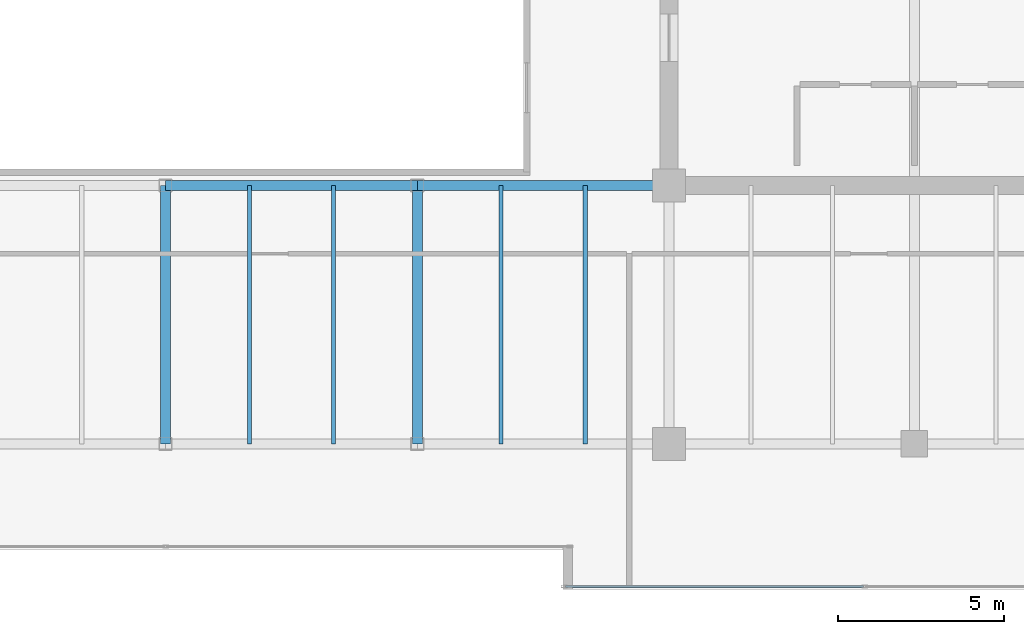
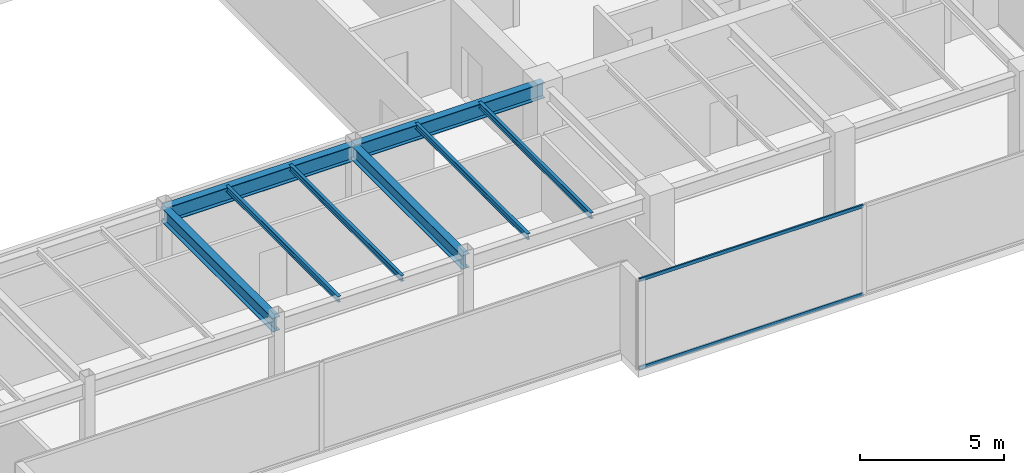
# One storey, part 12 of 33: 8 beams, 2 members, 1 element without a shape of its own.
"""IFC4 building model written with IfcOpenShell, lengths in metres."""

from ifc_helpers import new_model, si_unit, direction, frame, origin, origin_2d, place, context, subcontext, project, spatial, hollow_rectangle, i_section, extrude, source, transform, mapped, material, layer, layer_set, material_profile, profile_set, type_object, type_shapes, element, aggregate, save


model = new_model("IFC4")

# Units and contexts
model_context = context("Model", 3, precision=1e-05, world=origin(), true_north=direction((0.0, 1.0)))
body_context = subcontext(model_context, "Body", "Model", "MODEL_VIEW")
ifc_project = project(units=[si_unit("LENGTHUNIT", "METRE"), si_unit("AREAUNIT", "SQUARE_METRE"), si_unit("VOLUMEUNIT", "CUBIC_METRE"), si_unit("PLANEANGLEUNIT", "RADIAN"), si_unit("MASSUNIT", "GRAM", prefix="KILO")], contexts=[model_context])

# Site, building, storey
site_placement = place(None, origin())
site = spatial("IfcSite", under=ifc_project, at=site_placement, CompositionType="ELEMENT")
building_placement = place(site_placement, origin())
building = spatial("IfcBuilding", under=site, at=building_placement, Name="Haelvirn Gate Laboratories", CompositionType="ELEMENT")
storey_placement = place(building_placement, frame((0.0, 0.0, 275.199951171875)))
storey = spatial("IfcBuildingStorey", under=building, at=storey_placement, Name="L66", CompositionType="ELEMENT", Elevation=275.199951171875)

# Beams
ifc_material_1 = material(Name="Steel SM355", Category="steel")
ifc_material_profile_1 = material_profile(ifc_material_1, i_section(OverallWidth=0.300048828125, OverallDepth=0.587890625, WebThickness=0.011962890625, FlangeThickness=0.02001953125, at=origin_2d()), Name="H-588x300x12x20")
ifc_profile_set_1 = profile_set([ifc_material_profile_1], Name="Steel SM355")
beam_type_1 = type_object("IfcBeamType", Name="BM-G-588", PredefinedType="BEAM", material=ifc_profile_set_1)
shared_shape_1 = source(origin(), body_context, "Body", "SweptSolid", [
    extrude(i_section(OverallWidth=0.300048828125, OverallDepth=0.587890625, WebThickness=0.011962890625, FlangeThickness=0.02001953125, at=origin_2d()), origin(), (0.0, 0.0, 1.0), 7.800048828125),
])
type_shapes(beam_type_1, [shared_shape_1])
for number, where, z_axis, x_axis, name in (
    (1, (37.39990234375, 7.0, 3.506103515625), (0.0, 1.0, 0.0), (-1.0, 0.0, 0.0), "L66 Frame Girder X37.4 (7.0-14.8)"),
    (2, (45.0, 7.0, 3.506103515625), (0.0, 1.0, 0.0), (-1.0, 0.0, 0.0), "L66 Frame Girder X45.0 (7.0-14.8)"),
):
    element("IfcBeam", number, at=place(storey_placement, frame(where, z_axis=z_axis, x_axis=x_axis)), inside=storey, type_object=beam_type_1, Name=name, PredefinedType="BEAM", context=body_context, shape_type="MappedRepresentation", body=[
        mapped(shared_shape_1, transform((0.0, 0.0, 0.0), scale=1.0)),
    ])
ifc_material_profile_2 = material_profile(ifc_material_1, i_section(OverallWidth=0.300048828125, OverallDepth=0.64990234375, WebThickness=0.012939453125, FlangeThickness=0.02197265625, at=origin_2d()), Name="H-650x300x13x22")
ifc_profile_set_2 = profile_set([ifc_material_profile_2], Name="Steel SM355")
beam_type_2 = type_object("IfcBeamType", Name="BM-G-650", PredefinedType="BEAM", material=ifc_profile_set_2)
shared_shape_2 = source(origin(), body_context, "Body", "SweptSolid", [
    extrude(i_section(OverallWidth=0.300048828125, OverallDepth=0.64990234375, WebThickness=0.012939453125, FlangeThickness=0.02197265625, at=origin_2d()), origin(), (0.0, 0.0, 1.0), 7.60009765625),
])
type_shapes(beam_type_2, [shared_shape_2])
for number, where, z_axis, x_axis, name in (
    (3, (37.39990234375, 14.800048828125, 3.47509765625), (1.0, 0.0, 0.0), (0.0, 1.0, 0.0), "L66 Primary Girder Y14.8 (37.4-45.0)"),
    (4, (45.0, 14.800048828125, 3.47509765625), (1.0, 0.0, 0.0), (0.0, 1.0, 0.0), "L66 Primary Girder Y14.8 (45.0-52.6)"),
):
    element("IfcBeam", number, at=place(storey_placement, frame(where, z_axis=z_axis, x_axis=x_axis)), inside=storey, type_object=beam_type_2, Name=name, PredefinedType="BEAM", context=body_context, shape_type="MappedRepresentation", body=[
        mapped(shared_shape_2, transform((0.0, 0.0, 0.0), scale=1.0)),
    ])
ifc_material_profile_3 = material_profile(ifc_material_1, i_section(OverallWidth=0.125, OverallDepth=0.25, WebThickness=0.006103515625, FlangeThickness=0.009033203125, at=origin_2d()), Name="H-250x125x6x9")
ifc_profile_set_3 = profile_set([ifc_material_profile_3], Name="Steel SM355")
beam_type_3 = type_object("IfcBeamType", Name="BM-J-250", PredefinedType="JOIST", material=ifc_profile_set_3)
shared_shape_3 = source(origin(), body_context, "Body", "SweptSolid", [
    extrude(i_section(OverallWidth=0.125, OverallDepth=0.25, WebThickness=0.006103515625, FlangeThickness=0.009033203125, at=origin_2d()), origin(), (0.0, 0.0, 1.0), 7.800048828125),
])
type_shapes(beam_type_3, [shared_shape_3])
for number, where, z_axis, x_axis, name in (
    (5, (39.929931640625, 7.0, 3.675048828125), (0.0, 1.0, 0.0), (-1.0, 0.0, 0.0), "L66 Composite Lab Joist South X39.93"),
    (6, (42.469970703125, 7.0, 3.675048828125), (0.0, 1.0, 0.0), (-1.0, 0.0, 0.0), "L66 Composite Lab Joist South X42.47"),
    (7, (47.530029296875, 7.0, 3.675048828125), (0.0, 1.0, 0.0), (-1.0, 0.0, 0.0), "L66 Composite Lab Joist South X47.53"),
    (8, (50.070068359375, 7.0, 3.675048828125), (0.0, 1.0, 0.0), (-1.0, 0.0, 0.0), "L66 Composite Lab Joist South X50.07"),
):
    element("IfcBeam", number, at=place(storey_placement, frame(where, z_axis=z_axis, x_axis=x_axis)), inside=storey, type_object=beam_type_3, Name=name, PredefinedType="JOIST", context=body_context, shape_type="MappedRepresentation", body=[
        mapped(shared_shape_3, transform((0.0, 0.0, 0.0), scale=1.0)),
    ])

# Curtain wall, members
ifc_material_2 = material(Name="Anodised bronze unitised aluminium & triple low-E glass", Category="aluminium")
ifc_layer = layer(ifc_material_2, 0.176025390625, Name="CW-SYS-4")
ifc_layer_set = layer_set([ifc_layer], Name="Anodised bronze unitised aluminium & triple low-E glass")
curtain_wall_type = type_object("IfcCurtainWallType", Name="CW-SYS-4", PredefinedType="NOTDEFINED", material=ifc_layer_set)
curtain_wall_placement = place(storey_placement, origin())
curtain_wall = element("IfcCurtainWall", 9, at=curtain_wall_placement, inside=storey, type_object=curtain_wall_type, Name="L66 Unitised Curtain Wall CW-L66-P0-E04-1", PredefinedType="NOTDEFINED")
ifc_material_3 = material(Name="Extruded aluminium 6063-T6 (anodised bronze)", Category="aluminium")
ifc_material_profile_4 = material_profile(ifc_material_3, hollow_rectangle(XDim=0.06494140625, YDim=0.139892578125, WallThickness=0.00390625, at=origin_2d()), Name="CWT-140x65x4")
ifc_profile_set_4 = profile_set([ifc_material_profile_4], Name="Extruded aluminium 6063-T6 (anodised bronze)")
member_type = type_object("IfcMemberType", Name="CWT-T140", PredefinedType="USERDEFINED", material=ifc_profile_set_4)
shared_shape_4 = source(origin(), body_context, "Body", "SweptSolid", [
    extrude(hollow_rectangle(XDim=0.06494140625, YDim=0.139892578125, WallThickness=0.00390625, at=origin_2d()), origin(), (0.0, 0.0, 1.0), 8.9951171875),
])
type_shapes(member_type, [shared_shape_4])
member_1_placement = place(storey_placement, frame((49.469970703125, 2.699951171875, 0.032470703125), z_axis=(1.0, 0.0, 0.0), x_axis=(0.0, 1.0, 0.0)))
member_1 = element("IfcMember", 10, at=member_1_placement, type_object=member_type, Name="CW4 transom 1.1", ObjectType="TRANSOM", PredefinedType="USERDEFINED", context=body_context, shape_type="MappedRepresentation", body=[
    mapped(shared_shape_4, transform((0.0, 0.0, 0.0), scale=1.0)),
])
member_2_placement = place(storey_placement, frame((49.469970703125, 2.699951171875, 3.767578125), z_axis=(1.0, 0.0, 0.0), x_axis=(0.0, 1.0, 0.0)))
member_2 = element("IfcMember", 11, at=member_2_placement, type_object=member_type, Name="CW4 transom 1.2", ObjectType="TRANSOM", PredefinedType="USERDEFINED", context=body_context, shape_type="MappedRepresentation", body=[
    mapped(shared_shape_4, transform((0.0, 0.0, 0.0), scale=1.0)),
])
aggregate(curtain_wall, [member_1, member_2])

save(model, "model.ifc")
